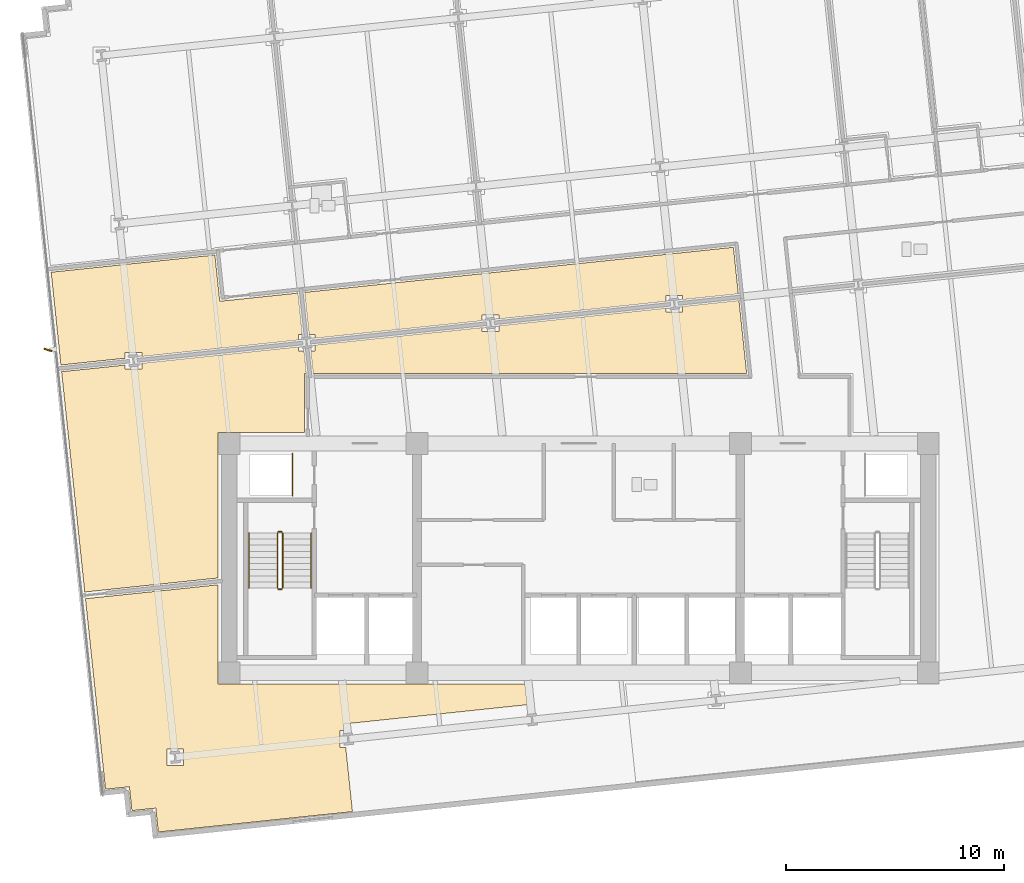
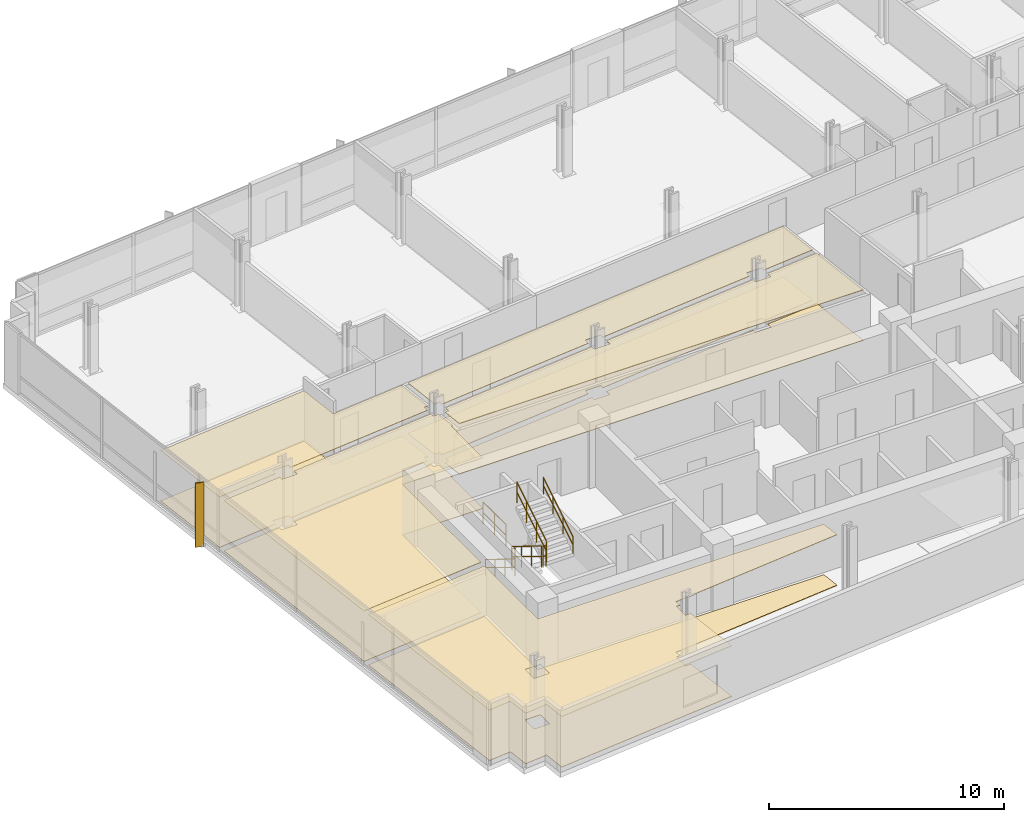
# One storey, part 17 of 21: 10 coverings, 7 railings, 1 shading device.
"""IFC4 building model written with IfcOpenShell, lengths in metres."""

from ifc_helpers import new_model, si_unit, direction, frame, origin, origin_2d, place, context, subcontext, project, spatial, polyline, rectangle, circle, outline, extrude, material, layer, layer_set, type_object, element, save


model = new_model("IFC4")

# Units and contexts
model_context = context("Model", 3, precision=1e-05, world=origin(), true_north=direction((0.0, 1.0)))
body_context = subcontext(model_context, "Body", "Model", "MODEL_VIEW")
ifc_project = project(units=[si_unit("LENGTHUNIT", "METRE"), si_unit("AREAUNIT", "SQUARE_METRE"), si_unit("VOLUMEUNIT", "CUBIC_METRE"), si_unit("PLANEANGLEUNIT", "RADIAN"), si_unit("MASSUNIT", "GRAM", prefix="KILO")], contexts=[model_context])

# Site, building, storey
site_placement = place(None, origin())
site = spatial("IfcSite", under=ifc_project, at=site_placement, CompositionType="ELEMENT")
building_placement = place(site_placement, origin())
building = spatial("IfcBuilding", under=site, at=building_placement, Name="Solmavex Isthmus Hotel", CompositionType="ELEMENT")
storey_placement = place(building_placement, frame((0.0, 0.0, 113.25)))
storey = spatial("IfcBuildingStorey", under=building, at=storey_placement, Name="L30", CompositionType="ELEMENT", Elevation=113.25)

# Coverings
ifc_material_1 = material(Name="Gypsum plasterboard lining", Category="gypsum")
ifc_layer_1 = layer(ifc_material_1, 0.030029296875)
ifc_layer_set_1 = layer_set([ifc_layer_1], Name="Gypsum plasterboard lining")
covering_type_1 = type_object("IfcCoveringType", Name="COV-CEIL-GYP", PredefinedType="CEILING", material=ifc_layer_set_1)
covering_1_placement = place(storey_placement, frame((0.0, 0.0, 2.6201171875)))
element("IfcCovering", 1, at=covering_1_placement, inside=storey, type_object=covering_type_1, Name="Suspended Acoustic Ceiling L30-FL08", PredefinedType="CEILING", context=body_context, shape_type="SweptSolid", body=[
    extrude(outline(polyline([(-12.8388671875, 2.234619140625), (-12.8388671875, 2.49853515625), (-12.654541015625, 2.49853515625), (-12.852783203125, 4.384765625), (-16.43310546875, 4.008544921875), (-16.65576171875, 6.126953125), (-24.15234375, 5.3388671875), (-23.7060546875, 1.09228515625), (-20.76318359375, 1.401611328125), (-20.76318359375, 1.665771484375), (-20.003173828125, 1.665771484375), (-20.003173828125, 1.4814453125), (-12.8388671875, 2.234619140625)])), origin(), (0.0, 0.0, 1.0), 0.02978515625),
])
covering_2_placement = place(storey_placement, frame((0.0, 0.0, 2.6201171875)))
element("IfcCovering", 2, at=covering_2_placement, inside=storey, type_object=covering_type_1, Name="Suspended Acoustic Ceiling L30-FL09", PredefinedType="CEILING", context=body_context, shape_type="SweptSolid", body=[
    extrude(outline(polyline([(4.00048828125, 4.00439453125), (4.00048828125, 4.2685546875), (4.760498046875, 4.2685546875), (4.760498046875, 4.084228515625), (7.30615234375, 4.351806640625), (7.082275390625, 6.480224609375), (-12.54443359375, 4.417236328125), (-12.3427734375, 2.49853515625), (-12.078857421875, 2.49853515625), (-12.078857421875, 2.314453125), (-4.419189453125, 3.119384765625), (-4.419189453125, 3.383544921875), (-3.6591796875, 3.383544921875), (-3.6591796875, 3.199462890625), (4.00048828125, 4.00439453125)])), origin(), (0.0, 0.0, 1.0), 0.02978515625),
])
covering_3_placement = place(storey_placement, frame((0.0, 0.0, 2.6201171875)))
element("IfcCovering", 3, at=covering_3_placement, inside=storey, type_object=covering_type_1, Name="Suspended Acoustic Ceiling L30-FL10", PredefinedType="CEILING", context=body_context, shape_type="SweptSolid", body=[
    extrude(outline(polyline([(-12.078857421875, 2.002685546875), (-12.078857421875, 1.738525390625), (-12.262939453125, 1.738525390625), (-12.154296875, 0.705078125), (7.689453125, 0.705078125), (7.33837890625, 4.04345703125), (4.760498046875, 3.7724609375), (4.760498046875, 3.508544921875), (4.00048828125, 3.508544921875), (4.00048828125, 3.692626953125), (-3.6591796875, 2.8876953125), (-3.6591796875, 2.62353515625), (-4.419189453125, 2.62353515625), (-4.419189453125, 2.807861328125), (-12.078857421875, 2.002685546875)])), origin(), (0.0, 0.0, 1.0), 0.02978515625),
])
covering_4_placement = place(storey_placement, frame((0.0, 0.0, 2.6201171875)))
element("IfcCovering", 4, at=covering_4_placement, inside=storey, type_object=covering_type_1, Name="Suspended Acoustic Ceiling L30-FL11", PredefinedType="CEILING", context=body_context, shape_type="SweptSolid", body=[
    extrude(outline(polyline([(-20.003173828125, 1.169921875), (-20.003173828125, 0.90576171875), (-20.76318359375, 0.90576171875), (-20.76318359375, 1.08984375), (-23.673583984375, 0.783935546875), (-23.135986328125, -4.332763671875), (-22.61376953125, -9.300537109375), (-16.5048828125, -8.658447265625), (-16.5048828125, -1.9951171875), (-12.554931640625, -1.9951171875), (-12.554931640625, 0.705078125), (-12.466064453125, 0.705078125), (-12.57470703125, 1.738525390625), (-12.8388671875, 1.738525390625), (-12.8388671875, 1.9228515625), (-20.003173828125, 1.169921875)])), origin(), (0.0, 0.0, 1.0), 0.02978515625),
])
covering_5_placement = place(storey_placement, frame((0.0, 0.0, 2.6201171875)))
element("IfcCovering", 5, at=covering_5_placement, inside=storey, type_object=covering_type_1, Name="Suspended Acoustic Ceiling L30-FL13", PredefinedType="CEILING", context=body_context, shape_type="SweptSolid", body=[
    extrude(outline(polyline([(-10.6669921875, -16.411376953125), (-10.93115234375, -16.411376953125), (-10.93115234375, -15.6513671875), (-10.746826171875, -15.6513671875), (-10.779052734375, -15.346435546875), (-2.359375, -14.46142578125), (-2.4599609375, -13.5048828125), (-16.5048828125, -13.5048828125), (-16.5048828125, -8.969970703125), (-22.581298828125, -9.608642578125), (-21.83984375, -16.664794921875), (-21.7509765625, -17.51025390625), (-21.66455078125, -18.33056640625), (-20.57080078125, -18.2158203125), (-20.455810546875, -19.3095703125), (-19.36181640625, -19.194580078125), (-19.246826171875, -20.28857421875), (-18.42626953125, -20.202392578125), (-10.357666015625, -19.3544921875), (-10.6669921875, -16.411376953125)]), holes=[polyline([(-18.85546875, -17.244384765625), (-18.85546875, -16.484375), (-18.095458984375, -16.484375), (-18.095458984375, -17.244384765625), (-18.85546875, -17.244384765625)])]), origin(), (0.0, 0.0, 1.0), 0.02978515625),
])
ifc_material_2 = material(Name="Travertine natural stone", Category="masonry")
ifc_layer_2 = layer(ifc_material_2, 0.02490234375)
ifc_layer_set_2 = layer_set([ifc_layer_2], Name="Travertine natural stone")
covering_type_2 = type_object("IfcCoveringType", Name="COV-FLOR-STN", PredefinedType="FLOORING", material=ifc_layer_set_2)
covering_6_placement = place(storey_placement, origin())
element("IfcCovering", 6, at=covering_6_placement, inside=storey, type_object=covering_type_2, Name="Stone and Timber Floor Finish L30-FL08", PredefinedType="FLOORING", context=body_context, shape_type="SweptSolid", body=[
    extrude(outline(polyline([(-12.8388671875, 2.234619140625), (-12.8388671875, 2.49853515625), (-12.654541015625, 2.49853515625), (-12.852783203125, 4.384765625), (-16.43310546875, 4.008544921875), (-16.65576171875, 6.126953125), (-24.15234375, 5.3388671875), (-23.7060546875, 1.09228515625), (-20.76318359375, 1.401611328125), (-20.76318359375, 1.665771484375), (-20.003173828125, 1.665771484375), (-20.003173828125, 1.4814453125), (-12.8388671875, 2.234619140625)])), origin(), (0.0, 0.0, 1.0), 0.02490234375),
])
covering_7_placement = place(storey_placement, origin())
element("IfcCovering", 7, at=covering_7_placement, inside=storey, type_object=covering_type_2, Name="Stone and Timber Floor Finish L30-FL09", PredefinedType="FLOORING", context=body_context, shape_type="SweptSolid", body=[
    extrude(outline(polyline([(4.00048828125, 4.00439453125), (4.00048828125, 4.2685546875), (4.760498046875, 4.2685546875), (4.760498046875, 4.084228515625), (7.30615234375, 4.351806640625), (7.082275390625, 6.480224609375), (-12.54443359375, 4.417236328125), (-12.3427734375, 2.49853515625), (-12.078857421875, 2.49853515625), (-12.078857421875, 2.314453125), (-4.419189453125, 3.119384765625), (-4.419189453125, 3.383544921875), (-3.6591796875, 3.383544921875), (-3.6591796875, 3.199462890625), (4.00048828125, 4.00439453125)])), origin(), (0.0, 0.0, 1.0), 0.02490234375),
])
covering_8_placement = place(storey_placement, origin())
element("IfcCovering", 8, at=covering_8_placement, inside=storey, type_object=covering_type_2, Name="Stone and Timber Floor Finish L30-FL10", PredefinedType="FLOORING", context=body_context, shape_type="SweptSolid", body=[
    extrude(outline(polyline([(-12.078857421875, 2.002685546875), (-12.078857421875, 1.738525390625), (-12.262939453125, 1.738525390625), (-12.154296875, 0.705078125), (7.689453125, 0.705078125), (7.33837890625, 4.04345703125), (4.760498046875, 3.7724609375), (4.760498046875, 3.508544921875), (4.00048828125, 3.508544921875), (4.00048828125, 3.692626953125), (-3.6591796875, 2.8876953125), (-3.6591796875, 2.62353515625), (-4.419189453125, 2.62353515625), (-4.419189453125, 2.807861328125), (-12.078857421875, 2.002685546875)])), origin(), (0.0, 0.0, 1.0), 0.02490234375),
])
covering_9_placement = place(storey_placement, origin())
element("IfcCovering", 9, at=covering_9_placement, inside=storey, type_object=covering_type_2, Name="Stone and Timber Floor Finish L30-FL11", PredefinedType="FLOORING", context=body_context, shape_type="SweptSolid", body=[
    extrude(outline(polyline([(-20.003173828125, 1.169921875), (-20.003173828125, 0.90576171875), (-20.76318359375, 0.90576171875), (-20.76318359375, 1.08984375), (-23.673583984375, 0.783935546875), (-23.135986328125, -4.332763671875), (-22.61376953125, -9.300537109375), (-16.5048828125, -8.658447265625), (-16.5048828125, -1.9951171875), (-12.554931640625, -1.9951171875), (-12.554931640625, 0.705078125), (-12.466064453125, 0.705078125), (-12.57470703125, 1.738525390625), (-12.8388671875, 1.738525390625), (-12.8388671875, 1.9228515625), (-20.003173828125, 1.169921875)])), origin(), (0.0, 0.0, 1.0), 0.02490234375),
])
covering_10_placement = place(storey_placement, origin())
element("IfcCovering", 10, at=covering_10_placement, inside=storey, type_object=covering_type_2, Name="Stone and Timber Floor Finish L30-FL13", PredefinedType="FLOORING", context=body_context, shape_type="SweptSolid", body=[
    extrude(outline(polyline([(-10.6669921875, -16.411376953125), (-10.93115234375, -16.411376953125), (-10.93115234375, -15.6513671875), (-10.746826171875, -15.6513671875), (-10.779052734375, -15.346435546875), (-2.359375, -14.46142578125), (-2.4599609375, -13.5048828125), (-16.5048828125, -13.5048828125), (-16.5048828125, -8.969970703125), (-22.581298828125, -9.608642578125), (-21.83984375, -16.664794921875), (-21.7509765625, -17.51025390625), (-21.66455078125, -18.33056640625), (-20.57080078125, -18.2158203125), (-20.455810546875, -19.3095703125), (-19.36181640625, -19.194580078125), (-19.246826171875, -20.28857421875), (-18.42626953125, -20.202392578125), (-10.357666015625, -19.3544921875), (-10.6669921875, -16.411376953125)]), holes=[polyline([(-18.85546875, -17.244384765625), (-18.85546875, -16.484375), (-18.095458984375, -16.484375), (-18.095458984375, -17.244384765625), (-18.85546875, -17.244384765625)])]), origin(), (0.0, 0.0, 1.0), 0.02490234375),
])

# Railings
ifc_material_3 = material(Name="Clear low-E laminated glass", Category="glass")
ifc_layer_3 = layer(ifc_material_3, 0.080078125)
ifc_layer_set_3 = layer_set([ifc_layer_3], Name="Clear low-E laminated glass")
railing_type_1 = type_object("IfcRailingType", Name="RAIL-ATRIUM-1120", PredefinedType="BALUSTRADE", material=ifc_layer_set_3)
railing_1_placement = place(storey_placement, frame((-13.10009765625, -4.89990234375, 0.0)))
element("IfcRailing", 11, at=railing_1_placement, inside=storey, type_object=railing_type_1, Name="Guardrail Balustrade L30-RSW-01", PredefinedType="BALUSTRADE", context=body_context, shape_type="SweptSolid", body=[
    extrude(circle(Radius=0.02392578125, at=origin_2d()), frame((0.0, 0.0, 1.1259765625), z_axis=(0.0, 1.0, 0.0), x_axis=(-1.0, 0.0, 0.0)), (0.0, 0.0, 1.0), 1.949951171875),
    extrude(circle(Radius=0.02392578125, at=origin_2d()), frame((0.0, 0.0, 0.574951171875), z_axis=(0.0, 1.0, 0.0), x_axis=(-1.0, 0.0, 0.0)), (0.0, 0.0, 1.0), 1.949951171875),
    extrude(circle(Radius=0.02099609375, at=origin_2d()), origin(), (0.0, 0.0, 1.0), 1.101806640625),
    extrude(circle(Radius=0.02099609375, at=origin_2d()), frame((0.0, 0.97509765625, 0.0)), (0.0, 0.0, 1.0), 1.101806640625),
    extrude(circle(Radius=0.02099609375, at=origin_2d()), frame((0.0, 1.949951171875, 0.0)), (0.0, 0.0, 1.0), 1.101806640625),
])
ifc_material_4 = material(Name="Stainless steel 316", Category="steel")
ifc_layer_4 = layer(ifc_material_4, 0.06005859375)
ifc_layer_set_4 = layer_set([ifc_layer_4], Name="Stainless steel 316")
railing_type_2 = type_object("IfcRailingType", Name="RAIL-STAIR-GD", PredefinedType="GUARDRAIL", material=ifc_layer_set_4)
railing_2_placement = place(storey_placement, frame((-13.800048828125, -6.60009765625, 0.172607421875)))
element("IfcRailing", 12, at=railing_2_placement, inside=storey, type_object=railing_type_2, Name="L30 ST-1 stair guard 1", PredefinedType="GUARDRAIL", context=body_context, shape_type="SweptSolid", body=[
    extrude(circle(Radius=0.02392578125, at=origin_2d()), frame((0.0, 0.0, 1.09619140625), z_axis=(0.0, -0.851400495292, 0.524516154772), x_axis=(1.0, 0.0, 0.0)), (0.0, 0.0, 1.0), 2.9599609375),
    extrude(circle(Radius=0.02392578125, at=origin_2d()), frame((0.0, 0.0, 0.56005859375), z_axis=(0.0, -0.851400495292, 0.524516154772), x_axis=(1.0, 0.0, 0.0)), (0.0, 0.0, 1.0), 2.9599609375),
    extrude(circle(Radius=0.02099609375, at=origin_2d()), origin(), (0.0, 0.0, 1.0), 1.072021484375),
    extrude(circle(Radius=0.02099609375, at=origin_2d()), frame((0.0, -0.840087890625, 0.517578125)), (0.0, 0.0, 1.0), 1.072021484375),
    extrude(circle(Radius=0.02099609375, at=origin_2d()), frame((0.0, -1.679931640625, 1.034912109375)), (0.0, 0.0, 1.0), 1.072021484375),
    extrude(circle(Radius=0.02099609375, at=origin_2d()), frame((0.0, -2.52001953125, 1.552490234375)), (0.0, 0.0, 1.0), 1.072021484375),
])
railing_3_placement = place(storey_placement, frame((-13.75, -9.169921875, 1.72509765625)))
element("IfcRailing", 13, at=railing_3_placement, inside=storey, type_object=railing_type_2, Name="L30 ST-1 stair guard 2", PredefinedType="GUARDRAIL", context=body_context, shape_type="SweptSolid", body=[
    extrude(circle(Radius=0.02392578125, at=origin_2d()), frame((0.0, 0.0, 1.09619140625), z_axis=(1.0, 0.0, 0.0), x_axis=(0.0, 1.0, 0.0)), (0.0, 0.0, 1.0), 0.14990234375),
    extrude(circle(Radius=0.02392578125, at=origin_2d()), frame((0.0, 0.0, 0.56005859375), z_axis=(1.0, 0.0, 0.0), x_axis=(0.0, 1.0, 0.0)), (0.0, 0.0, 1.0), 0.14990234375),
    extrude(circle(Radius=0.02099609375, at=origin_2d()), origin(), (0.0, 0.0, 1.0), 1.072021484375),
    extrude(circle(Radius=0.02099609375, at=origin_2d()), frame((0.14990234375, 0.0, 0.0)), (0.0, 0.0, 1.0), 1.072021484375),
])
railing_4_placement = place(storey_placement, frame((-13.550048828125, -9.1201171875, 1.8974609375)))
element("IfcRailing", 14, at=railing_4_placement, inside=storey, type_object=railing_type_2, Name="L30 ST-1 stair guard 3", PredefinedType="GUARDRAIL", context=body_context, shape_type="SweptSolid", body=[
    extrude(circle(Radius=0.02392578125, at=origin_2d()), frame((0.0, 0.0, 1.09619140625), z_axis=(0.0, 0.851400495292, 0.524516154772), x_axis=(-1.0, 0.0, 0.0)), (0.0, 0.0, 1.0), 2.9599609375),
    extrude(circle(Radius=0.02392578125, at=origin_2d()), frame((0.0, 0.0, 0.56005859375), z_axis=(0.0, 0.851400495292, 0.524516154772), x_axis=(-1.0, 0.0, 0.0)), (0.0, 0.0, 1.0), 2.9599609375),
    extrude(circle(Radius=0.02099609375, at=origin_2d()), origin(), (0.0, 0.0, 1.0), 1.072021484375),
    extrude(circle(Radius=0.02099609375, at=origin_2d()), frame((0.0, 0.840087890625, 0.517578125)), (0.0, 0.0, 1.0), 1.072021484375),
    extrude(circle(Radius=0.02099609375, at=origin_2d()), frame((0.0, 1.679931640625, 1.034912109375)), (0.0, 0.0, 1.0), 1.072021484375),
    extrude(circle(Radius=0.02099609375, at=origin_2d()), frame((0.0, 2.52001953125, 1.552490234375)), (0.0, 0.0, 1.0), 1.072021484375),
])
railing_5_placement = place(storey_placement, frame((-13.75, -6.550048828125, 0.0)))
element("IfcRailing", 15, at=railing_5_placement, inside=storey, type_object=railing_type_2, Name="L30 ST-1 stair guard 4", PredefinedType="GUARDRAIL", context=body_context, shape_type="SweptSolid", body=[
    extrude(circle(Radius=0.02392578125, at=origin_2d()), frame((0.0, 0.0, 1.09619140625), z_axis=(1.0, 0.0, 0.0), x_axis=(0.0, 1.0, 0.0)), (0.0, 0.0, 1.0), 0.14990234375),
    extrude(circle(Radius=0.02392578125, at=origin_2d()), frame((0.0, 0.0, 0.56005859375), z_axis=(1.0, 0.0, 0.0), x_axis=(0.0, 1.0, 0.0)), (0.0, 0.0, 1.0), 0.14990234375),
    extrude(circle(Radius=0.02099609375, at=origin_2d()), origin(), (0.0, 0.0, 1.0), 1.072021484375),
    extrude(circle(Radius=0.02099609375, at=origin_2d()), frame((0.14990234375, 0.0, 0.0)), (0.0, 0.0, 1.0), 1.072021484375),
])
ifc_layer_5 = layer(ifc_material_4, 0.050048828125)
ifc_layer_set_5 = layer_set([ifc_layer_5], Name="Stainless steel 316")
railing_type_3 = type_object("IfcRailingType", Name="RAIL-STAIR-HR", PredefinedType="HANDRAIL", material=ifc_layer_set_5)
railing_6_placement = place(storey_placement, frame((-15.10009765625, -6.60009765625, 0.172607421875)))
element("IfcRailing", 16, at=railing_6_placement, inside=storey, type_object=railing_type_3, Name="L30 ST-1 stair handrail 1", PredefinedType="HANDRAIL", context=body_context, shape_type="SweptSolid", body=[
    extrude(circle(Radius=0.02392578125, at=origin_2d()), frame((0.0, 0.0, 0.8759765625), z_axis=(0.0, -0.851400495292, 0.524516154772), x_axis=(1.0, 0.0, 0.0)), (0.0, 0.0, 1.0), 2.9599609375),
    extrude(circle(Radius=0.02392578125, at=origin_2d()), frame((0.0, 0.0, 0.449951171875), z_axis=(0.0, -0.851400495292, 0.524516154772), x_axis=(1.0, 0.0, 0.0)), (0.0, 0.0, 1.0), 2.9599609375),
    extrude(circle(Radius=0.02099609375, at=origin_2d()), origin(), (0.0, 0.0, 1.0), 0.851806640625),
    extrude(circle(Radius=0.02099609375, at=origin_2d()), frame((0.0, -0.840087890625, 0.517578125)), (0.0, 0.0, 1.0), 0.851806640625),
    extrude(circle(Radius=0.02099609375, at=origin_2d()), frame((0.0, -1.679931640625, 1.034912109375)), (0.0, 0.0, 1.0), 0.851806640625),
    extrude(circle(Radius=0.02099609375, at=origin_2d()), frame((0.0, -2.52001953125, 1.552490234375)), (0.0, 0.0, 1.0), 0.851806640625),
])
railing_7_placement = place(storey_placement, frame((-12.25, -9.1201171875, 1.8974609375)))
element("IfcRailing", 17, at=railing_7_placement, inside=storey, type_object=railing_type_3, Name="L30 ST-1 stair handrail 2", PredefinedType="HANDRAIL", context=body_context, shape_type="SweptSolid", body=[
    extrude(circle(Radius=0.02392578125, at=origin_2d()), frame((0.0, 0.0, 0.8759765625), z_axis=(0.0, 0.851400495292, 0.524516154772), x_axis=(-1.0, 0.0, 0.0)), (0.0, 0.0, 1.0), 2.9599609375),
    extrude(circle(Radius=0.02392578125, at=origin_2d()), frame((0.0, 0.0, 0.449951171875), z_axis=(0.0, 0.851400495292, 0.524516154772), x_axis=(-1.0, 0.0, 0.0)), (0.0, 0.0, 1.0), 2.9599609375),
    extrude(circle(Radius=0.02099609375, at=origin_2d()), origin(), (0.0, 0.0, 1.0), 0.851806640625),
    extrude(circle(Radius=0.02099609375, at=origin_2d()), frame((0.0, 0.840087890625, 0.517578125)), (0.0, 0.0, 1.0), 0.851806640625),
    extrude(circle(Radius=0.02099609375, at=origin_2d()), frame((0.0, 1.679931640625, 1.034912109375)), (0.0, 0.0, 1.0), 0.851806640625),
    extrude(circle(Radius=0.02099609375, at=origin_2d()), frame((0.0, 2.52001953125, 1.552490234375)), (0.0, 0.0, 1.0), 0.851806640625),
])

# Shading device
ifc_material_5 = material(Name="Aluminium alloy 6063-T6", Category="aluminium")
shading_device_type = type_object("IfcShadingDeviceType", Name="SHD-FIN-CHAMP", PredefinedType="USERDEFINED", material=ifc_material_5)
shading_device_placement = place(storey_placement, frame((-24.296142578125, 1.779541015625, -0.14013671875), z_axis=(0.0, 0.0, 1.0), x_axis=(-0.951056516295, 0.309016994375, 0.0)))
element("IfcShadingDevice", 18, at=shading_device_placement, inside=storey, type_object=shading_device_type, Name="Anodised Aluminium Solar Fin L30-W1", ObjectType="SOLAR_FIN", PredefinedType="USERDEFINED", context=body_context, shape_type="SweptSolid", body=[
    extrude(rectangle(XDim=0.3798828125, YDim=0.070068359375, at=origin_2d()), origin(), (0.0, 0.0, 1.0), 3.330078125),
])

save(model, "model.ifc")
